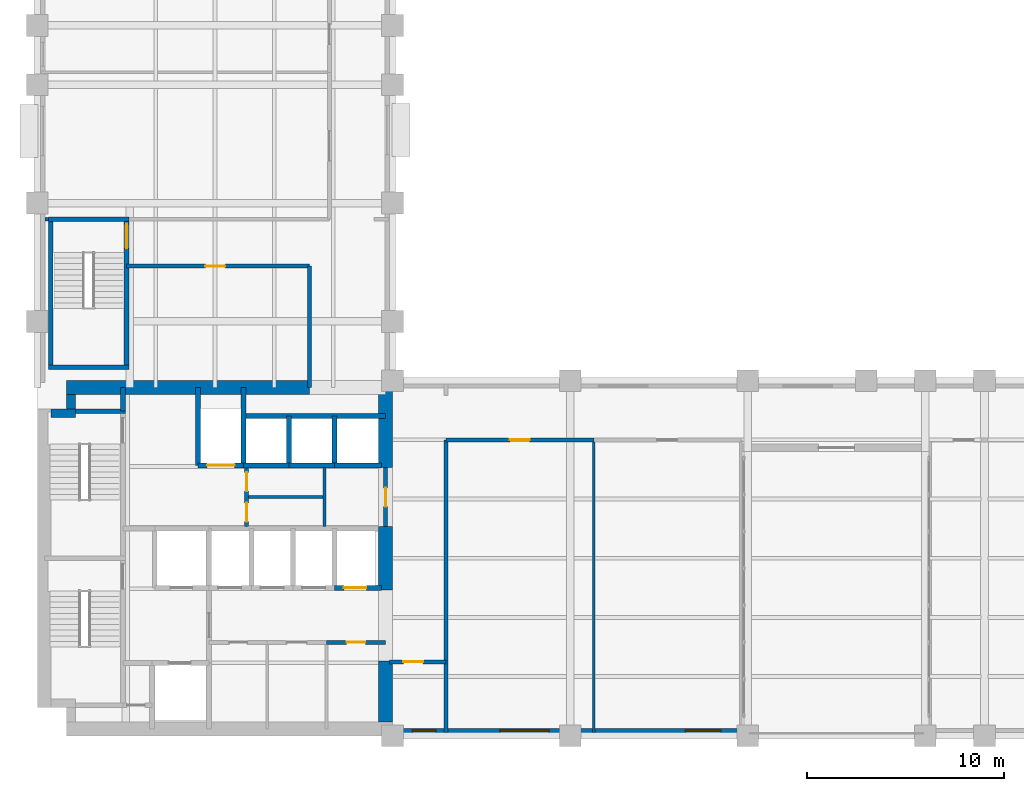
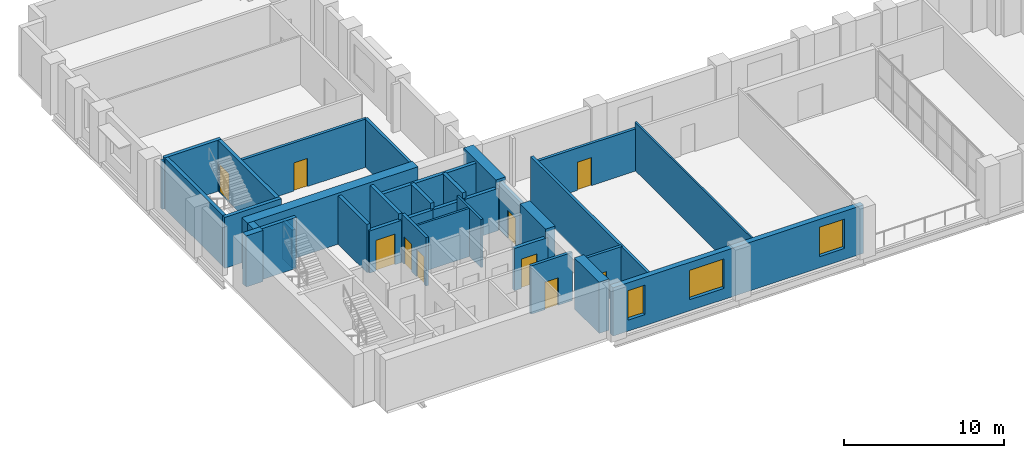
# One storey, part 8 of 12: 35 walls, 10 doors, 3 windows, 13 openings.
"""IFC4 building model written with IfcOpenShell, lengths in metres."""

from ifc_helpers import new_model, si_unit, direction, frame, frame_2d, origin, place, context, subcontext, project, spatial, rectangle, extrude, material, layer, layer_set, type_object, element, fill, save


model = new_model("IFC4")

# Units and contexts
model_context = context("Model", 3, precision=1e-05, world=origin(), true_north=direction((0.0, 1.0)))
body_context = subcontext(model_context, "Body", "Model", "MODEL_VIEW")
ifc_project = project(units=[si_unit("LENGTHUNIT", "METRE"), si_unit("AREAUNIT", "SQUARE_METRE"), si_unit("VOLUMEUNIT", "CUBIC_METRE"), si_unit("PLANEANGLEUNIT", "RADIAN"), si_unit("MASSUNIT", "GRAM", prefix="KILO")], contexts=[model_context])

# Site, building, storey
site_placement = place(None, origin())
site = spatial("IfcSite", under=ifc_project, at=site_placement, CompositionType="ELEMENT")
building_placement = place(site_placement, origin())
building = spatial("IfcBuilding", under=site, at=building_placement, Name="Mawjdan Bourse Tower", CompositionType="ELEMENT")
storey_placement = place(building_placement, frame((0.0, 0.0, 120.60009765625)))
storey = spatial("IfcBuildingStorey", under=building, at=storey_placement, Name="L28", CompositionType="ELEMENT", Elevation=120.60009765625)

# Wall, openings, windows
ifc_material_1 = material(Name="Brick Masonry Terracotta Red", Category="masonry")
ifc_layer_1 = layer(ifc_material_1, 0.3798828125)
ifc_layer_set_1 = layer_set([ifc_layer_1], Name="Brick Masonry Terracotta Red")
wall_type_1 = type_object("IfcWallType", Name="WL-BRK-RED-380", PredefinedType="STANDARD", material=ifc_layer_set_1)
wall_1_placement = place(storey_placement, frame((23.89990234375, 3.18994140625, 0.0), z_axis=(0.0, 0.0, 1.0), x_axis=(1.0, 0.0, 0.0)))
wall_1 = element("IfcWall", 1, at=wall_1_placement, inside=storey, type_object=wall_type_1, Name="L28 Exterior Brick Wall 1", PredefinedType="STANDARD", context=body_context, shape_type="SweptSolid", body=[
    extrude(rectangle(XDim=18.10009765625, YDim=0.3798828125, at=frame_2d((9.050048828125, 0.0))), origin(), (0.0, 0.0, 1.0), 3.699951171875),
])
opening_1_placement = place(wall_1_placement, frame((5.53759765625, 0.0, 0.85009765625)))
opening_1 = element("IfcOpeningElement", 2, at=opening_1_placement, cuts=wall_1, Name="Opening W-L28-01", PredefinedType="OPENING", context=body_context, shape_type="SweptSolid", body=[
    extrude(rectangle(XDim=2.5, YDim=2.25, at=frame_2d((1.25, 1.125))), frame((0.0, 0.199951171875, 0.0), z_axis=(0.0, -1.0, 0.0), x_axis=(1.0, 0.0, 0.0)), (0.0, 0.0, 1.0), 0.39990234375),
])
opening_2_placement = place(wall_1_placement, frame((14.9375, 0.0, 0.85009765625)))
opening_2 = element("IfcOpeningElement", 3, at=opening_2_placement, cuts=wall_1, Name="Opening W-L28-02", PredefinedType="OPENING", context=body_context, shape_type="SweptSolid", body=[
    extrude(rectangle(XDim=1.800048828125, YDim=2.25, at=frame_2d((0.89990234375, 1.125))), frame((0.0, 0.199951171875, 0.0), z_axis=(0.0, -1.0, 0.0), x_axis=(1.0, 0.0, 0.0)), (0.0, 0.0, 1.0), 0.39990234375),
])
opening_3_placement = place(wall_1_placement, frame((1.10009765625, 0.0, 0.85009765625)))
opening_3 = element("IfcOpeningElement", 4, at=opening_3_placement, cuts=wall_1, Name="Opening W-L28-10", PredefinedType="OPENING", context=body_context, shape_type="SweptSolid", body=[
    extrude(rectangle(XDim=1.199951171875, YDim=2.25, at=frame_2d((0.60009765625, 1.125))), frame((0.0, 0.199951171875, 0.0), z_axis=(0.0, -1.0, 0.0), x_axis=(1.0, 0.0, 0.0)), (0.0, 0.0, 1.0), 0.39990234375),
])
ifc_material_2 = material(Name="Solar-Control Clear Double Glazing", Category="glass")
window_type_1 = type_object("IfcWindowType", Name="WN-Z2-1200", PartitioningType="SINGLE_PANEL", PredefinedType="WINDOW", material=ifc_material_2)
window_1_placement = place(opening_3_placement, origin())
window_1 = element("IfcWindow", 5, at=window_1_placement, inside=storey, type_object=window_type_1, Name="L28 Deep-Set Masonry Window W-L28-10", OverallHeight=2.25, OverallWidth=1.199951171875, PartitioningType="SINGLE_PANEL", PredefinedType="WINDOW", context=body_context, shape_type="SweptSolid", body=[
    extrude(rectangle(XDim=1.199951171875, YDim=2.25, at=frame_2d((0.60009765625, 1.125))), frame((0.0, 0.110107421875, 0.0), z_axis=(0.0, -1.0, 0.0), x_axis=(1.0, 0.0, 0.0)), (0.0, 0.0, 1.0), 0.06005859375),
])
fill(opening_3, window_1)
window_type_2 = type_object("IfcWindowType", Name="WN-Z2-1800", PartitioningType="SINGLE_PANEL", PredefinedType="WINDOW", material=ifc_material_2)
window_2_placement = place(opening_2_placement, origin())
window_2 = element("IfcWindow", 6, at=window_2_placement, inside=storey, type_object=window_type_2, Name="L28 Deep-Set Masonry Window W-L28-02", OverallHeight=2.25, OverallWidth=1.800048828125, PartitioningType="SINGLE_PANEL", PredefinedType="WINDOW", context=body_context, shape_type="SweptSolid", body=[
    extrude(rectangle(XDim=1.800048828125, YDim=2.25, at=frame_2d((0.89990234375, 1.125))), frame((0.0, 0.110107421875, 0.0), z_axis=(0.0, -1.0, 0.0), x_axis=(1.0, 0.0, 0.0)), (0.0, 0.0, 1.0), 0.06005859375),
])
fill(opening_2, window_2)
window_type_3 = type_object("IfcWindowType", Name="WN-Z2-2500", PartitioningType="SINGLE_PANEL", PredefinedType="WINDOW", material=ifc_material_2)
window_3_placement = place(opening_1_placement, origin())
window_3 = element("IfcWindow", 7, at=window_3_placement, inside=storey, type_object=window_type_3, Name="L28 Deep-Set Masonry Window W-L28-01", OverallHeight=2.25, OverallWidth=2.5, PartitioningType="SINGLE_PANEL", PredefinedType="WINDOW", context=body_context, shape_type="SweptSolid", body=[
    extrude(rectangle(XDim=2.5, YDim=2.25, at=frame_2d((1.25, 1.125))), frame((0.0, 0.110107421875, 0.0), z_axis=(0.0, -1.0, 0.0), x_axis=(1.0, 0.0, 0.0)), (0.0, 0.0, 1.0), 0.06005859375),
])
fill(opening_1, window_3)

# Wall, opening, door
ifc_material_3 = material(Name="Gypsum Fireboard Assembly")
ifc_layer_2 = layer(ifc_material_3, 0.199951171875)
ifc_layer_set_2 = layer_set([ifc_layer_2], Name="Gypsum Fireboard Assembly")
wall_type_2 = type_object("IfcWallType", Name="WL-CMP-200", PredefinedType="PARTITIONING", material=ifc_layer_set_2)
wall_2_placement = place(storey_placement, frame((20.64990234375, 7.739990234375, 0.0), z_axis=(0.0, 0.0, 1.0), x_axis=(1.0, 0.0, 0.0)))
wall_2 = element("IfcWall", 8, at=wall_2_placement, inside=storey, type_object=wall_type_2, Name="L28 Staff Refreshment Pantry North Wall", PredefinedType="PARTITIONING", context=body_context, shape_type="SweptSolid", body=[
    extrude(rectangle(XDim=3.0, YDim=0.199951171875, at=frame_2d((1.5, 0.0))), origin(), (0.0, 0.0, 1.0), 3.68994140625),
])
opening_4_placement = place(wall_2_placement, frame((1.02490234375, 0.0, 0.0)))
opening_4 = element("IfcOpeningElement", 9, at=opening_4_placement, cuts=wall_2, Name="Opening D-L28-12", PredefinedType="OPENING", context=body_context, shape_type="SweptSolid", body=[
    extrude(rectangle(XDim=0.949951171875, YDim=2.10009765625, at=frame_2d((0.47509765625, 1.050048828125))), frame((0.0, 0.10986328125, 0.0), z_axis=(0.0, -1.0, 0.0), x_axis=(1.0, 0.0, 0.0)), (0.0, 0.0, 1.0), 0.219970703125),
])
ifc_material_4 = material(Name="Moisture-Resistant Laminate Timber", Category="wood")
door_type_1 = type_object("IfcDoorType", Name="DR-WET-0950", OperationType="NOTDEFINED", PredefinedType="DOOR", material=ifc_material_4)
door_1_placement = place(opening_4_placement, origin())
door_1 = element("IfcDoor", 10, at=door_1_placement, inside=storey, type_object=door_type_1, Name="L28 Staff Refreshment Pantry Door D-L28-12", OperationType="SINGLE_SWING_LEFT", OverallHeight=2.10009765625, OverallWidth=0.949951171875, PredefinedType="DOOR", context=body_context, shape_type="SweptSolid", body=[
    extrude(rectangle(XDim=0.949951171875, YDim=2.10009765625, at=frame_2d((0.47509765625, 1.050048828125))), frame((0.0, 0.02490234375, 0.0), z_axis=(0.0, -1.0, 0.0), x_axis=(1.0, 0.0, 0.0)), (0.0, 0.0, 1.0), 0.050048828125),
])
fill(opening_4, door_1)

# Wall, openings, doors
wall_3_placement = place(storey_placement, frame((16.60009765625, 13.60009765625, 0.0), z_axis=(0.0, 0.0, 1.0), x_axis=(0.0, 1.0, 0.0)))
wall_3 = element("IfcWall", 11, at=wall_3_placement, inside=storey, type_object=wall_type_2, Name="L28 Core Restroom West Wall", PredefinedType="PARTITIONING", context=body_context, shape_type="SweptSolid", body=[
    extrude(rectangle(XDim=3.0, YDim=0.199951171875, at=frame_2d((1.5, 0.0))), origin(), (0.0, 0.0, 1.0), 3.68994140625),
])
opening_5_placement = place(wall_3_placement, frame((0.25, 0.0, 0.0)))
opening_5 = element("IfcOpeningElement", 12, at=opening_5_placement, cuts=wall_3, Name="Opening D-L28-17", PredefinedType="OPENING", context=body_context, shape_type="SweptSolid", body=[
    extrude(rectangle(XDim=0.949951171875, YDim=2.10009765625, at=frame_2d((0.47509765625, 1.050048828125))), frame((0.0, 0.10986328125, 0.0), z_axis=(0.0, -1.0, 0.0), x_axis=(1.0, 0.0, 0.0)), (0.0, 0.0, 1.0), 0.219970703125),
])
opening_6_placement = place(wall_3_placement, frame((1.800048828125, 0.0, 0.0)))
opening_6 = element("IfcOpeningElement", 13, at=opening_6_placement, cuts=wall_3, Name="Opening D-L28-18", PredefinedType="OPENING", context=body_context, shape_type="SweptSolid", body=[
    extrude(rectangle(XDim=0.949951171875, YDim=2.10009765625, at=frame_2d((0.47509765625, 1.050048828125))), frame((0.0, 0.10986328125, 0.0), z_axis=(0.0, -1.0, 0.0), x_axis=(1.0, 0.0, 0.0)), (0.0, 0.0, 1.0), 0.219970703125),
])
door_2_placement = place(opening_5_placement, origin())
door_2 = element("IfcDoor", 14, at=door_2_placement, inside=storey, type_object=door_type_1, Name="L28 Accessible WC West Entry Door D-L28-17", OperationType="SINGLE_SWING_RIGHT", OverallHeight=2.10009765625, OverallWidth=0.949951171875, PredefinedType="DOOR", context=body_context, shape_type="SweptSolid", body=[
    extrude(rectangle(XDim=0.949951171875, YDim=2.10009765625, at=frame_2d((0.47509765625, 1.050048828125))), frame((0.0, 0.02490234375, 0.0), z_axis=(0.0, -1.0, 0.0), x_axis=(1.0, 0.0, 0.0)), (0.0, 0.0, 1.0), 0.050048828125),
])
fill(opening_5, door_2)
door_3_placement = place(opening_6_placement, origin())
door_3 = element("IfcDoor", 15, at=door_3_placement, inside=storey, type_object=door_type_1, Name="L28 Male Restroom West Entry Door D-L28-18", OperationType="SINGLE_SWING_LEFT", OverallHeight=2.10009765625, OverallWidth=0.949951171875, PredefinedType="DOOR", context=body_context, shape_type="SweptSolid", body=[
    extrude(rectangle(XDim=0.949951171875, YDim=2.10009765625, at=frame_2d((0.47509765625, 1.050048828125))), frame((0.0, 0.02490234375, 0.0), z_axis=(0.0, -1.0, 0.0), x_axis=(1.0, 0.0, 0.0)), (0.0, 0.0, 1.0), 0.050048828125),
])
fill(opening_6, door_3)

# Wall, opening, door
wall_4_placement = place(storey_placement, frame((23.64990234375, 13.60009765625, 0.0), z_axis=(0.0, 0.0, 1.0), x_axis=(0.0, 1.0, 0.0)))
wall_4 = element("IfcWall", 16, at=wall_4_placement, inside=storey, type_object=wall_type_2, Name="L28 Core Restroom East Enclosing Wall", PredefinedType="PARTITIONING", context=body_context, shape_type="SweptSolid", body=[
    extrude(rectangle(XDim=3.0, YDim=0.199951171875, at=frame_2d((1.5, 0.0))), origin(), (0.0, 0.0, 1.0), 3.68994140625),
])
opening_7_placement = place(wall_4_placement, frame((1.02001953125, 0.0, 0.0)))
opening_7 = element("IfcOpeningElement", 17, at=opening_7_placement, cuts=wall_4, Name="Opening D-L28-19", PredefinedType="OPENING", context=body_context, shape_type="SweptSolid", body=[
    extrude(rectangle(XDim=0.949951171875, YDim=2.10009765625, at=frame_2d((0.47509765625, 1.050048828125))), frame((0.0, 0.10986328125, 0.0), z_axis=(0.0, -1.0, 0.0), x_axis=(1.0, 0.0, 0.0)), (0.0, 0.0, 1.0), 0.219970703125),
])
door_4_placement = place(opening_7_placement, origin())
door_4 = element("IfcDoor", 18, at=door_4_placement, inside=storey, type_object=door_type_1, Name="L28 Female Restroom East Entry Door D-L28-19", OperationType="SINGLE_SWING_RIGHT", OverallHeight=2.10009765625, OverallWidth=0.949951171875, PredefinedType="DOOR", context=body_context, shape_type="SweptSolid", body=[
    extrude(rectangle(XDim=0.949951171875, YDim=2.10009765625, at=frame_2d((0.47509765625, 1.050048828125))), frame((0.0, 0.02490234375, 0.0), z_axis=(0.0, -1.0, 0.0), x_axis=(1.0, 0.0, 0.0)), (0.0, 0.0, 1.0), 0.050048828125),
])
fill(opening_7, door_4)

wall_5_placement = place(storey_placement, frame((23.85009765625, 6.75, 0.0), z_axis=(0.0, 0.0, 1.0), x_axis=(1.0, 0.0, 0.0)))
wall_5 = element("IfcWall", 19, at=wall_5_placement, inside=storey, type_object=wall_type_2, Name="L28 West Pocket North Wall", PredefinedType="PARTITIONING", context=body_context, shape_type="SweptSolid", body=[
    extrude(rectangle(XDim=2.849853515625, YDim=0.199951171875, at=frame_2d((1.4248046875, 0.0))), origin(), (0.0, 0.0, 1.0), 3.68994140625),
])
opening_8_placement = place(wall_5_placement, frame((0.699951171875, 0.0, 0.0)))
opening_8 = element("IfcOpeningElement", 20, at=opening_8_placement, cuts=wall_5, Name="Opening D-L28-21", PredefinedType="OPENING", context=body_context, shape_type="SweptSolid", body=[
    extrude(rectangle(XDim=1.0, YDim=2.14990234375, at=frame_2d((0.5, 1.074951171875))), frame((0.0, 0.10986328125, 0.0), z_axis=(0.0, -1.0, 0.0), x_axis=(1.0, 0.0, 0.0)), (0.0, 0.0, 1.0), 0.219970703125),
])
ifc_material_5 = material(Name="Hardwood Acoustic Leaf", Category="wood")
door_type_2 = type_object("IfcDoorType", Name="DR-OFC-1000", OperationType="NOTDEFINED", PredefinedType="DOOR", material=ifc_material_5)
door_5_placement = place(opening_8_placement, origin())
door_5 = element("IfcDoor", 21, at=door_5_placement, inside=storey, type_object=door_type_2, Name="L28 West Pocket Office Door D-L28-21", OperationType="SINGLE_SWING_RIGHT", OverallHeight=2.14990234375, OverallWidth=1.0, PredefinedType="DOOR", context=body_context, shape_type="SweptSolid", body=[
    extrude(rectangle(XDim=1.0, YDim=2.14990234375, at=frame_2d((0.5, 1.074951171875))), frame((0.0, 0.02490234375, 0.0), z_axis=(0.0, -1.0, 0.0), x_axis=(1.0, 0.0, 0.0)), (0.0, 0.0, 1.0), 0.050048828125),
])
fill(opening_8, door_5)

# Wall
wall_6_placement = place(storey_placement, frame((26.699951171875, 3.179931640625, 0.0), z_axis=(0.0, 0.0, 1.0), x_axis=(0.0, 1.0, 0.0)))
element("IfcWall", 22, at=wall_6_placement, inside=storey, type_object=wall_type_2, Name="L28 Vestibule South East Wall", PredefinedType="PARTITIONING", context=body_context, shape_type="SweptSolid", body=[
    extrude(rectangle(XDim=14.820068359375, YDim=0.199951171875, at=frame_2d((7.41015625, 0.0))), origin(), (0.0, 0.0, 1.0), 3.68994140625),
])

# Wall, opening, door
wall_7_placement = place(storey_placement, frame((26.699951171875, 18.0, 0.0), z_axis=(0.0, 0.0, 1.0), x_axis=(1.0, 0.0, 0.0)))
wall_7 = element("IfcWall", 23, at=wall_7_placement, inside=storey, type_object=wall_type_2, Name="L28 Portal Sky Lounge Corridor Wall", PredefinedType="PARTITIONING", context=body_context, shape_type="SweptSolid", body=[
    extrude(rectangle(XDim=7.5, YDim=0.199951171875, at=frame_2d((3.75, 0.0))), origin(), (0.0, 0.0, 1.0), 3.226806640625),
])
opening_9_placement = place(wall_7_placement, frame((3.25, 0.0, 0.0)))
opening_9 = element("IfcOpeningElement", 24, at=opening_9_placement, cuts=wall_7, Name="Opening D-L28-22", PredefinedType="OPENING", context=body_context, shape_type="SweptSolid", body=[
    extrude(rectangle(XDim=1.0, YDim=2.14990234375, at=frame_2d((0.5, 1.074951171875))), frame((0.0, 0.10986328125, 0.0), z_axis=(0.0, -1.0, 0.0), x_axis=(1.0, 0.0, 0.0)), (0.0, 0.0, 1.0), 0.219970703125),
])
door_6_placement = place(opening_9_placement, origin())
door_6 = element("IfcDoor", 25, at=door_6_placement, inside=storey, type_object=door_type_2, Name="L28 Portal Sky Lounge Door D-L28-22", OperationType="SINGLE_SWING_LEFT", OverallHeight=2.14990234375, OverallWidth=1.0, PredefinedType="DOOR", context=body_context, shape_type="SweptSolid", body=[
    extrude(rectangle(XDim=1.0, YDim=2.14990234375, at=frame_2d((0.5, 1.074951171875))), frame((0.0, 0.02490234375, 0.0), z_axis=(0.0, -1.0, 0.0), x_axis=(1.0, 0.0, 0.0)), (0.0, 0.0, 1.0), 0.050048828125),
])
fill(opening_9, door_6)

wall_8_placement = place(storey_placement, frame((10.52001953125, 26.800048828125, 0.0), z_axis=(0.0, 0.0, 1.0), x_axis=(1.0, 0.0, 0.0)))
wall_8 = element("IfcWall", 26, at=wall_8_placement, inside=storey, type_object=wall_type_2, Name="L28 North Throat North Wall", PredefinedType="PARTITIONING", context=body_context, shape_type="SweptSolid", body=[
    extrude(rectangle(XDim=9.280029296875, YDim=0.199951171875, at=frame_2d((4.64013671875, 0.0))), origin(), (0.0, 0.0, 1.0), 3.68994140625),
])
opening_10_placement = place(wall_8_placement, frame((4.0, 0.0, 0.0)))
opening_10 = element("IfcOpeningElement", 27, at=opening_10_placement, cuts=wall_8, Name="Opening D-L28-26", PredefinedType="OPENING", context=body_context, shape_type="SweptSolid", body=[
    extrude(rectangle(XDim=1.0, YDim=2.14990234375, at=frame_2d((0.5, 1.074951171875))), frame((0.0, 0.10986328125, 0.0), z_axis=(0.0, -1.0, 0.0), x_axis=(1.0, 0.0, 0.0)), (0.0, 0.0, 1.0), 0.219970703125),
])
door_7_placement = place(opening_10_placement, origin())
door_7 = element("IfcDoor", 28, at=door_7_placement, inside=storey, type_object=door_type_2, Name="L28 North Throat Suite Door D-L28-26", OperationType="SINGLE_SWING_LEFT", OverallHeight=2.14990234375, OverallWidth=1.0, PredefinedType="DOOR", context=body_context, shape_type="SweptSolid", body=[
    extrude(rectangle(XDim=1.0, YDim=2.14990234375, at=frame_2d((0.5, 1.074951171875))), frame((0.0, 0.02490234375, 0.0), z_axis=(0.0, -1.0, 0.0), x_axis=(1.0, 0.0, 0.0)), (0.0, 0.0, 1.0), 0.050048828125),
])
fill(opening_10, door_7)

# Walls
wall_9_placement = place(storey_placement, frame((19.800048828125, 20.64990234375, 0.0), z_axis=(0.0, 0.0, 1.0), x_axis=(0.0, 1.0, 0.0)))
element("IfcWall", 29, at=wall_9_placement, inside=storey, type_object=wall_type_2, Name="L28 North Throat East Wall", PredefinedType="PARTITIONING", context=body_context, shape_type="SweptSolid", body=[
    extrude(rectangle(XDim=6.150146484375, YDim=0.199951171875, at=frame_2d((3.0751953125, 0.0))), origin(), (0.0, 0.0, 1.0), 3.68994140625),
])
wall_10_placement = place(storey_placement, frame((6.3798828125, 29.179931640625, 0.0), z_axis=(0.0, 0.0, 1.0), x_axis=(1.0, 0.0, 0.0)))
element("IfcWall", 30, at=wall_10_placement, inside=storey, type_object=wall_type_2, Name="L28 North West Band ST3 West Return", PredefinedType="PARTITIONING", context=body_context, shape_type="SweptSolid", body=[
    extrude(rectangle(XDim=0.175048828125, YDim=0.199951171875, at=frame_2d((0.08740234375, 0.0))), origin(), (0.0, 0.0, 1.0), 3.68994140625),
])
ifc_material_6 = material(Name="Concrete C60/75", Category="concrete")
ifc_layer_3 = layer(ifc_material_6, 0.449951171875)
ifc_layer_set_3 = layer_set([ifc_layer_3], Name="Concrete C60/75")
wall_type_3 = type_object("IfcWallType", Name="WL-CORE-450", PredefinedType="SHEAR", material=ifc_layer_set_3)
wall_11_placement = place(storey_placement, frame((6.699951171875, 19.35009765625, 0.0), z_axis=(0.0, 0.0, 1.0), x_axis=(1.0, 0.0, 0.0)))
element("IfcWall", 31, at=wall_11_placement, inside=storey, type_object=wall_type_3, Name="L28 Rear Core Shear Wall NW-X", PredefinedType="SHEAR", context=body_context, shape_type="SweptSolid", body=[
    extrude(rectangle(XDim=1.22509765625, YDim=0.449951171875, at=frame_2d((0.612548828125, 0.0))), origin(), (0.0, 0.0, 1.0), 3.89990234375),
])
wall_12_placement = place(storey_placement, frame((7.699951171875, 19.574951171875, 0.0), z_axis=(0.0, 0.0, 1.0), x_axis=(0.0, 1.0, 0.0)))
element("IfcWall", 32, at=wall_12_placement, inside=storey, type_object=wall_type_3, Name="L28 Rear Core Shear Wall NW-Y", PredefinedType="SHEAR", context=body_context, shape_type="SweptSolid", body=[
    extrude(rectangle(XDim=0.72509765625, YDim=0.449951171875, at=frame_2d((0.362548828125, 0.0))), origin(), (0.0, 0.0, 1.0), 3.89990234375),
])
ifc_material_7 = material(Name="Concrete C70/85", Category="concrete")
ifc_layer_4 = layer(ifc_material_7, 0.699951171875)
ifc_layer_set_4 = layer_set([ifc_layer_4], Name="Concrete C70/85")
wall_type_4 = type_object("IfcWallType", Name="WL-CORE-700", PredefinedType="SHEAR", material=ifc_layer_set_4)
wall_13_placement = place(storey_placement, frame((7.47509765625, 20.64990234375, 0.0), z_axis=(0.0, 0.0, 1.0), x_axis=(1.0, 0.0, 0.0)))
element("IfcWall", 33, at=wall_13_placement, inside=storey, type_object=wall_type_4, Name="L28 Rear Core Shear Wall N", PredefinedType="SHEAR", context=body_context, shape_type="SweptSolid", body=[
    extrude(rectangle(XDim=12.324951171875, YDim=0.699951171875, at=frame_2d((6.16259765625, 0.0))), origin(), (0.0, 0.0, 1.0), 3.89990234375),
])
wall_14_placement = place(storey_placement, frame((23.64990234375, 3.699951171875, 0.0), z_axis=(0.0, 0.0, 1.0), x_axis=(0.0, 1.0, 0.0)))
element("IfcWall", 34, at=wall_14_placement, inside=storey, type_object=wall_type_4, Name="L28 Rear Core Shear Wall E1", PredefinedType="SHEAR", context=body_context, shape_type="SweptSolid", body=[
    extrude(rectangle(XDim=3.10009765625, YDim=0.699951171875, at=frame_2d((1.550048828125, 0.0))), origin(), (0.0, 0.0, 1.0), 3.89990234375),
])
wall_15_placement = place(storey_placement, frame((23.64990234375, 10.39990234375, 0.0), z_axis=(0.0, 0.0, 1.0), x_axis=(0.0, 1.0, 0.0)))
element("IfcWall", 35, at=wall_15_placement, inside=storey, type_object=wall_type_4, Name="L28 Rear Core Shear Wall E2", PredefinedType="SHEAR", context=body_context, shape_type="SweptSolid", body=[
    extrude(rectangle(XDim=3.2001953125, YDim=0.699951171875, at=frame_2d((1.60009765625, 0.0))), origin(), (0.0, 0.0, 1.0), 3.89990234375),
])
wall_16_placement = place(storey_placement, frame((23.64990234375, 16.60009765625, 0.0), z_axis=(0.0, 0.0, 1.0), x_axis=(0.0, 1.0, 0.0)))
element("IfcWall", 36, at=wall_16_placement, inside=storey, type_object=wall_type_4, Name="L28 Rear Core Shear Wall E3", PredefinedType="SHEAR", context=body_context, shape_type="SweptSolid", body=[
    extrude(rectangle(XDim=4.0498046875, YDim=0.699951171875, at=frame_2d((2.02490234375, 0.0))), origin(), (0.0, 0.0, 1.0), 3.89990234375),
])
ifc_material_8 = material(Name="Gypsum Partition")
ifc_layer_5 = layer(ifc_material_8, 0.125)
ifc_layer_set_5 = layer_set([ifc_layer_5], Name="Gypsum Partition")
wall_type_5 = type_object("IfcWallType", Name="WL-PRT-125", PredefinedType="PARTITIONING", material=ifc_layer_set_5)
wall_17_placement = place(storey_placement, frame((34.199951171875, 3.179931640625, 0.0), z_axis=(0.0, 0.0, 1.0), x_axis=(0.0, 1.0, 0.0)))
element("IfcWall", 37, at=wall_17_placement, inside=storey, type_object=wall_type_5, Name="L28 Brokerage Executive Suite Partition", PredefinedType="PARTITIONING", context=body_context, shape_type="SweptSolid", body=[
    extrude(rectangle(XDim=14.820068359375, YDim=0.125, at=frame_2d((7.41015625, 0.0))), origin(), (0.0, 0.0, 1.0), 3.68994140625),
])
ifc_material_9 = material(Name="Gypsum Acoustic Partition")
ifc_layer_6 = layer(ifc_material_9, 0.14990234375)
ifc_layer_set_6 = layer_set([ifc_layer_6], Name="Gypsum Acoustic Partition")
wall_type_6 = type_object("IfcWallType", Name="WL-PRT-150", PredefinedType="PARTITIONING", material=ifc_layer_set_6)
wall_18_placement = place(storey_placement, frame((16.60009765625, 15.10009765625, 0.0), z_axis=(0.0, 0.0, 1.0), x_axis=(1.0, 0.0, 0.0)))
element("IfcWall", 38, at=wall_18_placement, inside=storey, type_object=wall_type_6, Name="L28 Core Restroom West Horizontal Split", PredefinedType="PARTITIONING", context=body_context, shape_type="SweptSolid", body=[
    extrude(rectangle(XDim=3.949951171875, YDim=0.14990234375, at=frame_2d((1.97509765625, 0.0))), origin(), (0.0, 0.0, 1.0), 3.68994140625),
])
wall_19_placement = place(storey_placement, frame((20.550048828125, 13.60009765625, 0.0), z_axis=(0.0, 0.0, 1.0), x_axis=(0.0, 1.0, 0.0)))
element("IfcWall", 39, at=wall_19_placement, inside=storey, type_object=wall_type_6, Name="L28 Core Restroom Vertical Split", PredefinedType="PARTITIONING", context=body_context, shape_type="SweptSolid", body=[
    extrude(rectangle(XDim=3.0, YDim=0.14990234375, at=frame_2d((1.5, 0.0))), origin(), (0.0, 0.0, 1.0), 3.68994140625),
])
ifc_material_10 = material(Name="Concrete C50/60", Category="concrete")
ifc_layer_7 = layer(ifc_material_10, 0.25)
ifc_layer_set_7 = layer_set([ifc_layer_7], Name="Concrete C50/60")
wall_type_7 = type_object("IfcWallType", Name="WL-SHFT-250", PredefinedType="PARTITIONING", material=ifc_layer_set_7)
wall_20_placement = place(storey_placement, frame((10.330078125, 19.449951171875, 0.0), z_axis=(0.0, 0.0, 1.0), x_axis=(0.0, 1.0, 0.0)))
element("IfcWall", 40, at=wall_20_placement, inside=storey, type_object=wall_type_7, Name="L28 NW Riser East Wall", PredefinedType="PARTITIONING", context=body_context, shape_type="SweptSolid", body=[
    extrude(rectangle(XDim=1.199951171875, YDim=0.25, at=frame_2d((0.60009765625, 0.0))), origin(), (0.0, 0.0, 1.0), 2.9169921875),
])

# Wall, opening, door
wall_21_placement = place(storey_placement, frame((14.14990234375, 16.699951171875, 0.0), z_axis=(0.0, 0.0, 1.0), x_axis=(1.0, 0.0, 0.0)))
wall_21 = element("IfcWall", 41, at=wall_21_placement, inside=storey, type_object=wall_type_7, Name="L28 SVL-01 Front Shaft Wall", PredefinedType="PARTITIONING", context=body_context, shape_type="SweptSolid", body=[
    extrude(rectangle(XDim=2.300048828125, YDim=0.25, at=frame_2d((1.14990234375, 0.0))), origin(), (0.0, 0.0, 1.0), 3.226806640625),
])
opening_11_placement = place(wall_21_placement, frame((0.449951171875, 0.0, 0.0)))
opening_11 = element("IfcOpeningElement", 42, at=opening_11_placement, cuts=wall_21, Name="Opening LD-L28-09", PredefinedType="OPENING", context=body_context, shape_type="SweptSolid", body=[
    extrude(rectangle(XDim=1.39990234375, YDim=2.35009765625, at=frame_2d((0.699951171875, 1.175048828125))), frame((0.0, 0.135009765625, 0.0), z_axis=(0.0, -1.0, 0.0), x_axis=(1.0, 0.0, 0.0)), (0.0, 0.0, 1.0), 0.27001953125),
])
ifc_material_11 = material(Name="Heavy-Duty Stainless Steel", Category="steel")
door_type_3 = type_object("IfcDoorType", Name="LD-SRV-1400", OperationType="DOUBLE_DOOR_SLIDING", PredefinedType="DOOR", material=ifc_material_11)
door_8_placement = place(opening_11_placement, origin())
door_8 = element("IfcDoor", 43, at=door_8_placement, inside=storey, type_object=door_type_3, Name="L28 Service Lift SVL-01 Landing Door LD-L28-09", OperationType="DOUBLE_DOOR_SLIDING", OverallHeight=2.35009765625, OverallWidth=1.39990234375, PredefinedType="DOOR", context=body_context, shape_type="SweptSolid", body=[
    extrude(rectangle(XDim=1.39990234375, YDim=2.35009765625, at=frame_2d((0.699951171875, 1.175048828125))), frame((0.0, 0.02490234375, 0.0), z_axis=(0.0, -1.0, 0.0), x_axis=(1.0, 0.0, 0.0)), (0.0, 0.0, 1.0), 0.050048828125),
])
fill(opening_11, door_8)

# Walls
for number, where, z_axis, x_axis, name in (
    (44, (14.14990234375, 16.699951171875, 0.0), (0.0, 0.0, 1.0), (0.0, 1.0, 0.0), "L28 SVL-01 West Shaft Wall"),
    (45, (16.449951171875, 16.699951171875, 0.0), (0.0, 0.0, 1.0), (0.0, 1.0, 0.0), "L28 SVL-01 East Shaft Wall"),
):
    element("IfcWall", number, at=place(storey_placement, frame(where, z_axis=z_axis, x_axis=x_axis)), inside=storey, type_object=wall_type_7, Name=name, PredefinedType="PARTITIONING", context=body_context, shape_type="SweptSolid", body=[
        extrude(rectangle(XDim=3.949951171875, YDim=0.25, at=frame_2d((1.97509765625, 0.0))), origin(), (0.0, 0.0, 1.0), 3.68994140625),
    ])
wall_22_placement = place(storey_placement, frame((16.449951171875, 16.699951171875, 0.0), z_axis=(0.0, 0.0, 1.0), x_axis=(1.0, 0.0, 0.0)))
element("IfcWall", 46, at=wall_22_placement, inside=storey, type_object=wall_type_7, Name="L28 PH-01 Front Wall", PredefinedType="PARTITIONING", context=body_context, shape_type="SweptSolid", body=[
    extrude(rectangle(XDim=2.300048828125, YDim=0.25, at=frame_2d((1.14990234375, 0.0))), origin(), (0.0, 0.0, 1.0), 3.226806640625),
])
wall_23_placement = place(storey_placement, frame((18.75, 16.699951171875, 0.0), z_axis=(0.0, 0.0, 1.0), x_axis=(0.0, 1.0, 0.0)))
element("IfcWall", 47, at=wall_23_placement, inside=storey, type_object=wall_type_7, Name="L28 PH-01 Divider Wall", PredefinedType="PARTITIONING", context=body_context, shape_type="SweptSolid", body=[
    extrude(rectangle(XDim=2.5, YDim=0.25, at=frame_2d((1.25, 0.0))), origin(), (0.0, 0.0, 1.0), 3.68994140625),
])
wall_24_placement = place(storey_placement, frame((18.75, 16.699951171875, 0.0), z_axis=(0.0, 0.0, 1.0), x_axis=(1.0, 0.0, 0.0)))
element("IfcWall", 48, at=wall_24_placement, inside=storey, type_object=wall_type_7, Name="L28 PH-02 Front Wall", PredefinedType="PARTITIONING", context=body_context, shape_type="SweptSolid", body=[
    extrude(rectangle(XDim=2.300048828125, YDim=0.25, at=frame_2d((1.14990234375, 0.0))), origin(), (0.0, 0.0, 1.0), 3.226806640625),
])
wall_25_placement = place(storey_placement, frame((21.050048828125, 16.699951171875, 0.0), z_axis=(0.0, 0.0, 1.0), x_axis=(0.0, 1.0, 0.0)))
element("IfcWall", 49, at=wall_25_placement, inside=storey, type_object=wall_type_7, Name="L28 PH-02 Divider Wall", PredefinedType="PARTITIONING", context=body_context, shape_type="SweptSolid", body=[
    extrude(rectangle(XDim=2.5, YDim=0.25, at=frame_2d((1.25, 0.0))), origin(), (0.0, 0.0, 1.0), 3.68994140625),
])
wall_26_placement = place(storey_placement, frame((21.050048828125, 16.699951171875, 0.0), z_axis=(0.0, 0.0, 1.0), x_axis=(1.0, 0.0, 0.0)))
element("IfcWall", 50, at=wall_26_placement, inside=storey, type_object=wall_type_7, Name="L28 PH-03 Front Wall", PredefinedType="PARTITIONING", context=body_context, shape_type="SweptSolid", body=[
    extrude(rectangle(XDim=2.39990234375, YDim=0.25, at=frame_2d((1.199951171875, 0.0))), origin(), (0.0, 0.0, 1.0), 3.226806640625),
])
wall_27_placement = place(storey_placement, frame((16.449951171875, 19.199951171875, 0.0), z_axis=(0.0, 0.0, 1.0), x_axis=(1.0, 0.0, 0.0)))
element("IfcWall", 51, at=wall_27_placement, inside=storey, type_object=wall_type_7, Name="L28 PH Bank North Shaft Back Wall", PredefinedType="PARTITIONING", context=body_context, shape_type="SweptSolid", body=[
    extrude(rectangle(XDim=7.199951171875, YDim=0.25, at=frame_2d((3.60009765625, 0.0))), origin(), (0.0, 0.0, 1.0), 3.68994140625),
])

# Wall, opening, door
wall_28_placement = place(storey_placement, frame((21.050048828125, 10.5, 0.0), z_axis=(0.0, 0.0, 1.0), x_axis=(1.0, 0.0, 0.0)))
wall_28 = element("IfcWall", 52, at=wall_28_placement, inside=storey, type_object=wall_type_7, Name="L28 PM-04 Front Wall", PredefinedType="PARTITIONING", context=body_context, shape_type="SweptSolid", body=[
    extrude(rectangle(XDim=2.39990234375, YDim=0.25, at=frame_2d((1.199951171875, 0.0))), origin(), (0.0, 0.0, 1.0), 3.226806640625),
])
opening_12_placement = place(wall_28_placement, frame((0.47998046875, 0.0, 0.0)))
opening_12 = element("IfcOpeningElement", 53, at=opening_12_placement, cuts=wall_28, Name="Opening LD-L28-16", PredefinedType="OPENING", context=body_context, shape_type="SweptSolid", body=[
    extrude(rectangle(XDim=1.14990234375, YDim=2.25, at=frame_2d((0.574951171875, 1.125))), frame((0.0, 0.135009765625, 0.0), z_axis=(0.0, -1.0, 0.0), x_axis=(1.0, 0.0, 0.0)), (0.0, 0.0, 1.0), 0.27001953125),
])
ifc_material_12 = material(Name="Brushed Stainless Steel", Category="steel")
door_type_4 = type_object("IfcDoorType", Name="LD-PAS-1150", OperationType="DOUBLE_DOOR_SLIDING", PredefinedType="DOOR", material=ifc_material_12)
door_9_placement = place(opening_12_placement, origin())
door_9 = element("IfcDoor", 54, at=door_9_placement, inside=storey, type_object=door_type_4, Name="L28 Lift PM-04 Landing Door LD-L28-16", OperationType="DOUBLE_DOOR_SLIDING", OverallHeight=2.25, OverallWidth=1.14990234375, PredefinedType="DOOR", context=body_context, shape_type="SweptSolid", body=[
    extrude(rectangle(XDim=1.14990234375, YDim=2.25, at=frame_2d((0.574951171875, 1.125))), frame((0.0, 0.02490234375, 0.0), z_axis=(0.0, -1.0, 0.0), x_axis=(1.0, 0.0, 0.0)), (0.0, 0.0, 1.0), 0.050048828125),
])
fill(opening_12, door_9)

# Walls
ifc_layer_8 = layer(ifc_material_10, 0.25)
ifc_layer_set_8 = layer_set([ifc_layer_8], Name="Concrete C50/60")
wall_type_8 = type_object("IfcWallType", Name="WL-STRW-250", PredefinedType="SHEAR", material=ifc_layer_set_8)
wall_29_placement = place(storey_placement, frame((7.699951171875, 19.449951171875, 0.0), z_axis=(0.0, 0.0, 1.0), x_axis=(1.0, 0.0, 0.0)))
element("IfcWall", 55, at=wall_29_placement, inside=storey, type_object=wall_type_8, Name="L28 Stairwell ST2 North Shaft Wall", PredefinedType="SHEAR", context=body_context, shape_type="SweptSolid", body=[
    extrude(rectangle(XDim=2.755126953125, YDim=0.25, at=frame_2d((1.37744140625, 0.0))), origin(), (0.0, 0.0, 1.0), 3.89990234375),
])
for number, where, z_axis, x_axis, name in (
    (56, (6.554931640625, 21.679931640625, 0.0), (0.0, 0.0, 1.0), (1.0, 0.0, 0.0), "L28 ST3 South Shaft Wall"),
    (57, (6.554931640625, 29.179931640625, 0.0), (0.0, 0.0, 1.0), (1.0, 0.0, 0.0), "L28 ST3 North Shaft Wall"),
):
    element("IfcWall", number, at=place(storey_placement, frame(where, z_axis=z_axis, x_axis=x_axis)), inside=storey, type_object=wall_type_8, Name=name, PredefinedType="SHEAR", context=body_context, shape_type="SweptSolid", body=[
        extrude(rectangle(XDim=4.090087890625, YDim=0.25, at=frame_2d((2.044921875, 0.0))), origin(), (0.0, 0.0, 1.0), 3.89990234375),
    ])
wall_30_placement = place(storey_placement, frame((6.679931640625, 21.679931640625, 0.0), z_axis=(0.0, 0.0, 1.0), x_axis=(0.0, 1.0, 0.0)))
element("IfcWall", 58, at=wall_30_placement, inside=storey, type_object=wall_type_8, Name="L28 ST3 West Shaft Wall", PredefinedType="SHEAR", context=body_context, shape_type="SweptSolid", body=[
    extrude(rectangle(XDim=7.5, YDim=0.25, at=frame_2d((3.75, 0.0))), origin(), (0.0, 0.0, 1.0), 3.89990234375),
])

# Wall, opening, door
wall_31_placement = place(storey_placement, frame((10.52001953125, 21.679931640625, 0.0), z_axis=(0.0, 0.0, 1.0), x_axis=(0.0, 1.0, 0.0)))
wall_31 = element("IfcWall", 59, at=wall_31_placement, inside=storey, type_object=wall_type_8, Name="L28 ST3 East Shaft Wall", PredefinedType="SHEAR", context=body_context, shape_type="SweptSolid", body=[
    extrude(rectangle(XDim=7.5, YDim=0.25, at=frame_2d((3.75, 0.0))), origin(), (0.0, 0.0, 1.0), 3.89990234375),
])
opening_13_placement = place(wall_31_placement, frame((6.02001953125, 0.0, 0.0)))
opening_13 = element("IfcOpeningElement", 60, at=opening_13_placement, cuts=wall_31, Name="Opening SD-L28-20", PredefinedType="OPENING", context=body_context, shape_type="SweptSolid", body=[
    extrude(rectangle(XDim=1.25, YDim=2.199951171875, at=frame_2d((0.625, 1.10009765625))), frame((0.0, 0.135009765625, 0.0), z_axis=(0.0, -1.0, 0.0), x_axis=(1.0, 0.0, 0.0)), (0.0, 0.0, 1.0), 0.27001953125),
])
ifc_material_13 = material(Name="Fire-Rated Steel Leaf", Category="steel")
door_type_5 = type_object("IfcDoorType", Name="FD-ST-1250", OperationType="NOTDEFINED", PredefinedType="DOOR", material=ifc_material_13)
door_10_placement = place(opening_13_placement, origin())
door_10 = element("IfcDoor", 61, at=door_10_placement, inside=storey, type_object=door_type_5, Name="L28 Stair ST3 Fire Door SD-L28-20", OperationType="SINGLE_SWING_LEFT", OverallHeight=2.199951171875, OverallWidth=1.25, PredefinedType="DOOR", context=body_context, shape_type="SweptSolid", body=[
    extrude(rectangle(XDim=1.25, YDim=2.199951171875, at=frame_2d((0.625, 1.10009765625))), frame((0.0, 0.02490234375, 0.0), z_axis=(0.0, -1.0, 0.0), x_axis=(1.0, 0.0, 0.0)), (0.0, 0.0, 1.0), 0.050048828125),
])
fill(opening_13, door_10)

save(model, "model.ifc")
